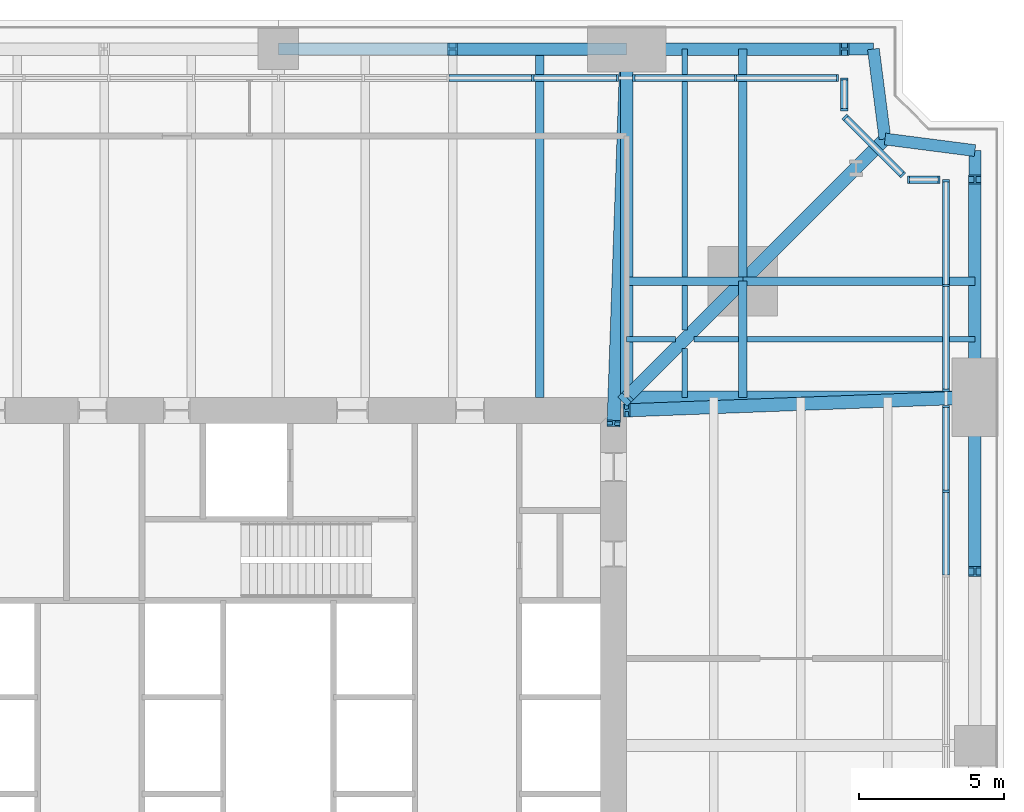
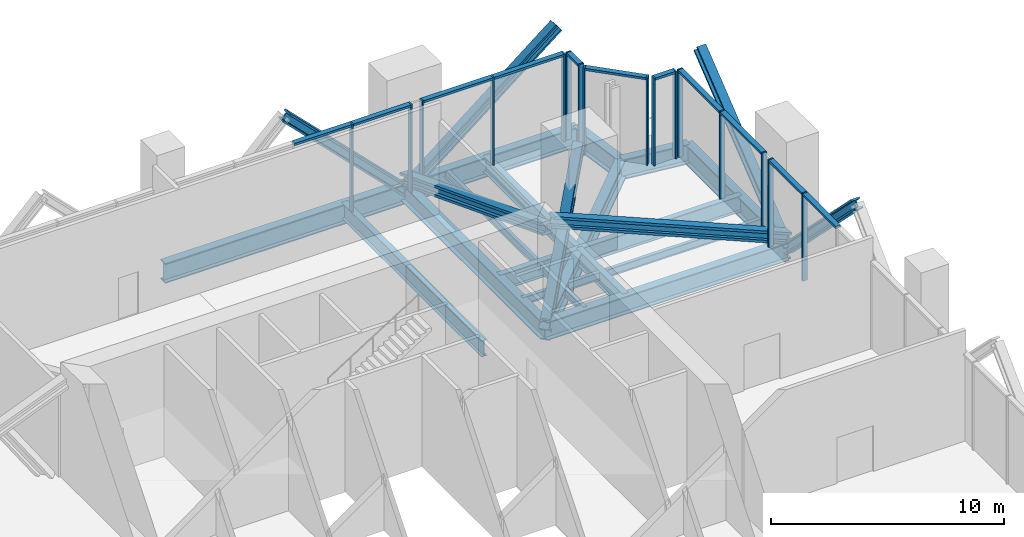
# One storey, part 7 of 13: 34 members, 20 beams, 7 elements without a shape of their own.
"""IFC4 building model written with IfcOpenShell, lengths in metres."""

from ifc_helpers import new_model, si_unit, direction, frame, origin, origin_2d, place, context, subcontext, project, spatial, rectangle, i_section, extrude, material, material_profile, profile_set, type_object, element, aggregate, save


model = new_model("IFC4")

# Units and contexts
model_context = context("Model", 3, precision=1e-05, world=origin(), true_north=direction((0.0, 1.0)))
body_context = subcontext(model_context, "Body", "Model", "MODEL_VIEW")
ifc_project = project(units=[si_unit("LENGTHUNIT", "METRE"), si_unit("AREAUNIT", "SQUARE_METRE"), si_unit("VOLUMEUNIT", "CUBIC_METRE"), si_unit("PLANEANGLEUNIT", "RADIAN"), si_unit("MASSUNIT", "GRAM", prefix="KILO")], contexts=[model_context])

# Site, building, storey
site_placement = place(None, origin())
site = spatial("IfcSite", under=ifc_project, at=site_placement, CompositionType="ELEMENT")
building_placement = place(site_placement, origin())
building = spatial("IfcBuilding", under=site, at=building_placement, Name="Fenwick Lantern Interchange", CompositionType="ELEMENT")
storey_placement = place(building_placement, frame((0.0, 0.0, 91.0)))
storey = spatial("IfcBuildingStorey", under=building, at=storey_placement, Name="L21", CompositionType="ELEMENT", Elevation=91.0)

# Members
ifc_material_1 = material(Name="Steel ASTM A992 Grade 50", Category="steel")
ifc_material_profile_1 = material_profile(ifc_material_1, i_section(OverallWidth=0.431884765625, OverallDepth=0.497802734375, WebThickness=0.0556640625, FlangeThickness=0.0888671875, at=origin_2d()), Name="W14X500")
ifc_profile_set_1 = profile_set([ifc_material_profile_1], Name="Steel ASTM A992 Grade 50")
member_type_1 = type_object("IfcMemberType", Name="BELT TRUSS DIAGONAL W14X500", PredefinedType="BRACE", material=ifc_profile_set_1)
member_1_placement = place(storey_placement, frame((49.0, 37.0, -0.64990234375), z_axis=(0.0, -0.707106781187, 0.707106781187), x_axis=(1.0, 0.0, 0.0)))
element("IfcMember", 1, at=member_1_placement, inside=storey, type_object=member_type_1, Name="L21/BT/E/D5", PredefinedType="BRACE", context=body_context, shape_type="SweptSolid", body=[
    extrude(i_section(OverallWidth=0.431884765625, OverallDepth=0.497802734375, WebThickness=0.0556640625, FlangeThickness=0.0888671875, at=origin_2d()), origin(), (0.0, 0.0, 1.0), 8.4853515625),
])
for number, where, z_axis, x_axis, name in (
    (2, (49.0, 37.0, -0.64990234375), (0.0, 0.780868809443, 0.624695047554), (-1.0, 0.0, 0.0), "L21/BT/E/D6"),
    (3, (37.0, 49.0, -0.64990234375), (0.780868809443, 0.0, 0.624695047554), (0.0, 1.0, 0.0), "L21/BT/N/D1"),
):
    element("IfcMember", number, at=place(storey_placement, frame(where, z_axis=z_axis, x_axis=x_axis)), inside=storey, type_object=member_type_1, Name=name, PredefinedType="BRACE", context=body_context, shape_type="SweptSolid", body=[
        extrude(i_section(OverallWidth=0.431884765625, OverallDepth=0.497802734375, WebThickness=0.0556640625, FlangeThickness=0.0888671875, at=origin_2d()), origin(), (0.0, 0.0, 1.0), 9.604736328125),
    ])
member_2_placement = place(storey_placement, frame((37.0, 49.0, -0.64990234375), z_axis=(-0.707106781187, 0.0, 0.707106781187), x_axis=(0.0, -1.0, 0.0)))
element("IfcMember", 4, at=member_2_placement, inside=storey, type_object=member_type_1, Name="L21/BT/N/D2", PredefinedType="BRACE", context=body_context, shape_type="SweptSolid", body=[
    extrude(i_section(OverallWidth=0.431884765625, OverallDepth=0.497802734375, WebThickness=0.0556640625, FlangeThickness=0.0888671875, at=origin_2d()), origin(), (0.0, 0.0, 1.0), 8.4853515625),
])

# Beams
ifc_material_profile_2 = material_profile(ifc_material_1, i_section(OverallWidth=0.408935546875, OverallDepth=1.04150390625, WebThickness=0.031005859375, FlangeThickness=0.055908203125, at=origin_2d()), Name="W40X397")
ifc_profile_set_2 = profile_set([ifc_material_profile_2], Name="Steel ASTM A992 Grade 50")
beam_type_1 = type_object("IfcBeamType", Name="EDGE BEAM W40X397", PredefinedType="SPANDREL", material=ifc_profile_set_2)
beam_1_placement = place(storey_placement, frame((49.0, 37.0, -0.720703125), z_axis=(0.0, 1.0, 0.0), x_axis=(-1.0, 0.0, 0.0)))
element("IfcBeam", 5, at=beam_1_placement, inside=storey, type_object=beam_type_1, Name="L21/FR/E/EB4", PredefinedType="SPANDREL", context=body_context, shape_type="SweptSolid", body=[
    extrude(i_section(OverallWidth=0.408935546875, OverallDepth=1.04150390625, WebThickness=0.031005859375, FlangeThickness=0.055908203125, at=origin_2d()), origin(), (0.0, 0.0, 1.0), 8.5),
])
for number, where, z_axis, x_axis, name in (
    (6, (49.0, 45.5, -0.720703125), (-0.991782342897, 0.127936641807, 0.0), (-0.127936641807, -0.991782342897, 0.0), "L21/FR/E/EBR1"),
    (7, (45.89990234375, 45.89990234375, -0.720703125), (-0.127936641807, 0.991782342897, 0.0), (-0.991782342897, -0.127936641807, 0.0), "L21/FR/E/EBR2"),
):
    element("IfcBeam", number, at=place(storey_placement, frame(where, z_axis=z_axis, x_axis=x_axis)), inside=storey, type_object=beam_type_1, Name=name, PredefinedType="SPANDREL", context=body_context, shape_type="SweptSolid", body=[
        extrude(i_section(OverallWidth=0.408935546875, OverallDepth=1.04150390625, WebThickness=0.031005859375, FlangeThickness=0.055908203125, at=origin_2d()), origin(), (0.0, 0.0, 1.0), 3.125732421875),
    ])
beam_2_placement = place(storey_placement, frame((45.5, 49.0, -0.720703125), z_axis=(-1.0, 0.0, 0.0), x_axis=(0.0, -1.0, 0.0)))
element("IfcBeam", 8, at=beam_2_placement, inside=storey, type_object=beam_type_1, Name="L21/FR/N/EB1", PredefinedType="SPANDREL", context=body_context, shape_type="SweptSolid", body=[
    extrude(i_section(OverallWidth=0.408935546875, OverallDepth=1.04150390625, WebThickness=0.031005859375, FlangeThickness=0.055908203125, at=origin_2d()), origin(), (0.0, 0.0, 1.0), 8.5),
])
beam_3_placement = place(storey_placement, frame((37.0, 49.0, -0.720703125), z_axis=(-1.0, 0.0, 0.0), x_axis=(0.0, -1.0, 0.0)))
element("IfcBeam", 9, at=beam_3_placement, inside=storey, type_object=beam_type_1, Name="L21/FR/N/EB2", PredefinedType="SPANDREL", context=body_context, shape_type="SweptSolid", body=[
    extrude(i_section(OverallWidth=0.408935546875, OverallDepth=1.04150390625, WebThickness=0.031005859375, FlangeThickness=0.055908203125, at=origin_2d()), origin(), (0.0, 0.0, 1.0), 12.0),
])
ifc_material_profile_3 = material_profile(ifc_material_1, i_section(OverallWidth=0.2919921875, OverallDepth=0.845703125, WebThickness=0.015380859375, FlangeThickness=0.0244140625, at=origin_2d()), Name="W33X141")
ifc_profile_set_3 = profile_set([ifc_material_profile_3], Name="Steel ASTM A992 Grade 50")
beam_type_2 = type_object("IfcBeamType", Name="FLOOR BEAM W33X141", PredefinedType="BEAM", material=ifc_profile_set_3)
beam_4_placement = place(storey_placement, frame((34.0, 49.0, -0.622802734375), z_axis=(0.0, -1.0, 0.0), x_axis=(1.0, 0.0, 0.0)))
element("IfcBeam", 10, at=beam_4_placement, inside=storey, type_object=beam_type_2, Name="L21/FR/N/R02", PredefinedType="BEAM", context=body_context, shape_type="SweptSolid", body=[
    extrude(i_section(OverallWidth=0.2919921875, OverallDepth=0.845703125, WebThickness=0.015380859375, FlangeThickness=0.0244140625, at=origin_2d()), origin(), (0.0, 0.0, 1.0), 12.0),
])
ifc_material_profile_4 = material_profile(ifc_material_1, i_section(OverallWidth=0.177734375, OverallDepth=0.406494140625, WebThickness=0.0078125, FlangeThickness=0.012939453125, at=origin_2d()), Name="W16X40")
ifc_profile_set_4 = profile_set([ifc_material_profile_4], Name="Steel ASTM A992 Grade 50")
beam_type_3 = type_object("IfcBeamType", Name="INFILL BEAM W16X40", PredefinedType="JOIST", material=ifc_profile_set_4)
beam_5_placement = place(storey_placement, frame((39.0, 49.0, -0.4033203125), z_axis=(0.0, -1.0, 0.0), x_axis=(1.0, 0.0, 0.0)))
element("IfcBeam", 11, at=beam_5_placement, inside=storey, type_object=beam_type_3, Name="L21/FR/N/J1", PredefinedType="JOIST", context=body_context, shape_type="SweptSolid", body=[
    extrude(i_section(OverallWidth=0.177734375, OverallDepth=0.406494140625, WebThickness=0.0078125, FlangeThickness=0.012939453125, at=origin_2d()), origin(), (0.0, 0.0, 1.0), 7.85400390625),
])
beam_6_placement = place(storey_placement, frame((39.0, 40.85400390625, -0.4033203125), z_axis=(0.0, -1.0, 0.0), x_axis=(1.0, 0.0, 0.0)))
element("IfcBeam", 12, at=beam_6_placement, inside=storey, type_object=beam_type_3, Name="L21/FR/N/J2", PredefinedType="JOIST", context=body_context, shape_type="SweptSolid", body=[
    extrude(i_section(OverallWidth=0.177734375, OverallDepth=0.406494140625, WebThickness=0.0078125, FlangeThickness=0.012939453125, at=origin_2d()), origin(), (0.0, 0.0, 1.0), 1.537841796875),
])
beam_7_placement = place(storey_placement, frame((39.0, 38.683837890625, -0.4033203125), z_axis=(0.0, -1.0, 0.0), x_axis=(1.0, 0.0, 0.0)))
element("IfcBeam", 13, at=beam_7_placement, inside=storey, type_object=beam_type_3, Name="L21/FR/N/J6", PredefinedType="JOIST", context=body_context, shape_type="SweptSolid", body=[
    extrude(i_section(OverallWidth=0.177734375, OverallDepth=0.406494140625, WebThickness=0.0078125, FlangeThickness=0.012939453125, at=origin_2d()), origin(), (0.0, 0.0, 1.0), 1.683837890625),
])
beam_8_placement = place(storey_placement, frame((49.0, 39.0, -0.4033203125), z_axis=(-1.0, 0.0, 0.0), x_axis=(0.0, -1.0, 0.0)))
element("IfcBeam", 14, at=beam_8_placement, inside=storey, type_object=beam_type_3, Name="L21/FR/N/J3", PredefinedType="JOIST", context=body_context, shape_type="SweptSolid", body=[
    extrude(i_section(OverallWidth=0.177734375, OverallDepth=0.406494140625, WebThickness=0.0078125, FlangeThickness=0.012939453125, at=origin_2d()), origin(), (0.0, 0.0, 1.0), 7.85400390625),
])
beam_9_placement = place(storey_placement, frame((40.85400390625, 39.0, -0.4033203125), z_axis=(-1.0, 0.0, 0.0), x_axis=(0.0, -1.0, 0.0)))
element("IfcBeam", 15, at=beam_9_placement, inside=storey, type_object=beam_type_3, Name="L21/FR/N/J4", PredefinedType="JOIST", context=body_context, shape_type="SweptSolid", body=[
    extrude(i_section(OverallWidth=0.177734375, OverallDepth=0.406494140625, WebThickness=0.0078125, FlangeThickness=0.012939453125, at=origin_2d()), origin(), (0.0, 0.0, 1.0), 1.537841796875),
])
beam_10_placement = place(storey_placement, frame((38.683837890625, 39.0, -0.4033203125), z_axis=(-1.0, 0.0, 0.0), x_axis=(0.0, -1.0, 0.0)))
element("IfcBeam", 16, at=beam_10_placement, inside=storey, type_object=beam_type_3, Name="L21/FR/N/J5", PredefinedType="JOIST", context=body_context, shape_type="SweptSolid", body=[
    extrude(i_section(OverallWidth=0.177734375, OverallDepth=0.406494140625, WebThickness=0.0078125, FlangeThickness=0.012939453125, at=origin_2d()), origin(), (0.0, 0.0, 1.0), 1.683837890625),
])
ifc_material_profile_5 = material_profile(ifc_material_1, i_section(OverallWidth=0.2919921875, OverallDepth=0.845703125, WebThickness=0.015380859375, FlangeThickness=0.0244140625, at=origin_2d()), Name="W33X141")
ifc_profile_set_5 = profile_set([ifc_material_profile_5], Name="Steel ASTM A992 Grade 50")
beam_type_4 = type_object("IfcBeamType", Name="MEGA COLUMN BEAM W33X141", PredefinedType="BEAM", material=ifc_profile_set_5)
for number, where, z_axis, x_axis, name in (
    (17, (41.0, 41.0, -0.622802734375), (0.0, 1.0, 0.0), (-1.0, 0.0, 0.0), "L21/FR/N/MB1"),
    (18, (41.0, 41.0, -0.622802734375), (1.0, 0.0, 0.0), (0.0, 1.0, 0.0), "L21/FR/N/MB2"),
):
    element("IfcBeam", number, at=place(storey_placement, frame(where, z_axis=z_axis, x_axis=x_axis)), inside=storey, type_object=beam_type_4, Name=name, PredefinedType="BEAM", context=body_context, shape_type="SweptSolid", body=[
        extrude(i_section(OverallWidth=0.2919921875, OverallDepth=0.845703125, WebThickness=0.015380859375, FlangeThickness=0.0244140625, at=origin_2d()), origin(), (0.0, 0.0, 1.0), 8.0),
    ])
for number, where, z_axis, x_axis, name in (
    (19, (41.0, 41.0, -0.622802734375), (-1.0, 0.0, 0.0), (0.0, -1.0, 0.0), "L21/FR/N/MB3"),
    (20, (41.0, 41.0, -0.622802734375), (0.0, -1.0, 0.0), (1.0, 0.0, 0.0), "L21/FR/N/MB4"),
):
    element("IfcBeam", number, at=place(storey_placement, frame(where, z_axis=z_axis, x_axis=x_axis)), inside=storey, type_object=beam_type_4, Name=name, PredefinedType="BEAM", context=body_context, shape_type="SweptSolid", body=[
        extrude(i_section(OverallWidth=0.2919921875, OverallDepth=0.845703125, WebThickness=0.015380859375, FlangeThickness=0.0244140625, at=origin_2d()), origin(), (0.0, 0.0, 1.0), 4.0),
    ])
ifc_material_profile_6 = material_profile(ifc_material_1, i_section(OverallWidth=0.424072265625, OverallDepth=0.947509765625, WebThickness=0.02392578125, FlangeThickness=0.042724609375, at=origin_2d()), Name="W36X302")
ifc_profile_set_6 = profile_set([ifc_material_profile_6], Name="Steel ASTM A992 Grade 50")
beam_type_5 = type_object("IfcBeamType", Name="MOMENT-CONNECTED GIRDER W36X302", PredefinedType="BEAM", material=ifc_profile_set_6)
for number, where, z_axis, x_axis, name in (
    (21, (49.0, 37.0, -0.673828125), (-1.0, 0.0, 0.0), (0.0, -1.0, 0.0), "L21/FR/E/R03"),
    (22, (37.0, 49.0, -0.673828125), (0.0, -1.0, 0.0), (1.0, 0.0, 0.0), "L21/FR/N/R01"),
):
    element("IfcBeam", number, at=place(storey_placement, frame(where, z_axis=z_axis, x_axis=x_axis)), inside=storey, type_object=beam_type_5, Name=name, PredefinedType="BEAM", context=body_context, shape_type="SweptSolid", body=[
        extrude(i_section(OverallWidth=0.424072265625, OverallDepth=0.947509765625, WebThickness=0.02392578125, FlangeThickness=0.042724609375, at=origin_2d()), origin(), (0.0, 0.0, 1.0), 12.0),
    ])
ifc_material_profile_7 = material_profile(ifc_material_1, i_section(OverallWidth=0.447021484375, OverallDepth=1.0439453125, WebThickness=0.050048828125, FlangeThickness=0.08984375, at=origin_2d()), Name="W36X652")
ifc_profile_set_7 = profile_set([ifc_material_profile_7], Name="Steel ASTM A992 Grade 50")
beam_type_6 = type_object("IfcBeamType", Name="NOTCH BEAM W36X652", PredefinedType="BEAM", material=ifc_profile_set_7)
beam_11_placement = place(storey_placement, frame((41.0, 41.0, -0.721923828125), z_axis=(0.707106781187, 0.707106781187, 0.0), x_axis=(-0.707106781187, 0.707106781187, 0.0)))
element("IfcBeam", 23, at=beam_11_placement, inside=storey, type_object=beam_type_6, Name="L21/FR/N/TG", PredefinedType="BEAM", context=body_context, shape_type="SweptSolid", body=[
    extrude(i_section(OverallWidth=0.447021484375, OverallDepth=1.0439453125, WebThickness=0.050048828125, FlangeThickness=0.08984375, at=origin_2d()), origin(), (0.0, 0.0, 1.0), 6.929443359375),
])
ifc_material_profile_8 = material_profile(ifc_material_1, i_section(OverallWidth=0.447021484375, OverallDepth=1.0439453125, WebThickness=0.050048828125, FlangeThickness=0.08984375, at=origin_2d()), Name="W36X652")
ifc_profile_set_8 = profile_set([ifc_material_profile_8], Name="Steel ASTM A992 Grade 50")
beam_type_7 = type_object("IfcBeamType", Name="OUTRIGGER CHORD W36X652", PredefinedType="BEAM", material=ifc_profile_set_8)
beam_12_placement = place(storey_placement, frame((37.0, 37.0, -0.721923828125), z_axis=(0.707106781187, 0.707106781187, 0.0), x_axis=(-0.707106781187, 0.707106781187, 0.0)))
element("IfcBeam", 24, at=beam_12_placement, inside=storey, type_object=beam_type_7, Name="L21/OR/N/BC", PredefinedType="BEAM", context=body_context, shape_type="SweptSolid", body=[
    extrude(i_section(OverallWidth=0.447021484375, OverallDepth=1.0439453125, WebThickness=0.050048828125, FlangeThickness=0.08984375, at=origin_2d()), origin(), (0.0, 0.0, 1.0), 5.65673828125),
])

# Members
ifc_material_profile_9 = material_profile(ifc_material_1, i_section(OverallWidth=0.45458984375, OverallDepth=0.56884765625, WebThickness=0.077880859375, FlangeThickness=0.124755859375, at=origin_2d()), Name="W14X730")
ifc_profile_set_9 = profile_set([ifc_material_profile_9], Name="Steel ASTM A992 Grade 50")
member_type_2 = type_object("IfcMemberType", Name="OUTRIGGER DIAGONAL W14X730", PredefinedType="BRACE", material=ifc_profile_set_9)
member_3_placement = place(storey_placement, frame((49.0, 37.0, 0.0), z_axis=(-0.913477570557, -0.034251691946, 0.405444878729), x_axis=(0.037469600146, -0.999297767968, 0.0)))
element("IfcMember", 25, at=member_3_placement, inside=storey, type_object=member_type_2, Name="L21/OR/E/W2", PredefinedType="BRACE", context=body_context, shape_type="SweptSolid", body=[
    extrude(i_section(OverallWidth=0.45458984375, OverallDepth=0.56884765625, WebThickness=0.077880859375, FlangeThickness=0.124755859375, at=origin_2d()), origin(), (0.0, 0.0, 1.0), 13.13671875),
])
member_4_placement = place(storey_placement, frame((37.0, 37.0, -0.721923828125), z_axis=(0.485071250073, 0.485071250073, 0.727606875109), x_axis=(-0.707106781187, 0.707106781187, 0.0)))
element("IfcMember", 26, at=member_4_placement, inside=storey, type_object=member_type_2, Name="L21/OR/N/D", PredefinedType="BRACE", context=body_context, shape_type="SweptSolid", body=[
    extrude(i_section(OverallWidth=0.45458984375, OverallDepth=0.56884765625, WebThickness=0.077880859375, FlangeThickness=0.124755859375, at=origin_2d()), origin(), (0.0, 0.0, 1.0), 8.24609375),
])
member_5_placement = place(storey_placement, frame((37.0, 49.0, 0.0), z_axis=(-0.032223486879, -0.923833206581, 0.381436565252), x_axis=(0.999392240336, -0.034859001078, 0.0)))
element("IfcMember", 27, at=member_5_placement, inside=storey, type_object=member_type_2, Name="L21/OR/N/W1", PredefinedType="BRACE", context=body_context, shape_type="SweptSolid", body=[
    extrude(i_section(OverallWidth=0.45458984375, OverallDepth=0.56884765625, WebThickness=0.077880859375, FlangeThickness=0.124755859375, at=origin_2d()), origin(), (0.0, 0.0, 1.0), 13.96337890625),
])

# Curtain wall, members
ifc_material_2 = material(Name="Aluminium curtain wall frame", Category="aluminium")
curtain_wall_type = type_object("IfcCurtainWallType", Name="PLANT LOUVRE SCREEN", PredefinedType="USERDEFINED", material=ifc_material_2)
curtain_wall_1_placement = place(storey_placement, origin())
curtain_wall_1 = element("IfcCurtainWall", 28, at=curtain_wall_1_placement, inside=storey, type_object=curtain_wall_type, Name="Plant louvre screen 04B", ObjectType="PLANT LOUVRE SCREEN", PredefinedType="USERDEFINED")
ifc_material_3 = material(Name="Aluminium extrusion", Category="aluminium")
ifc_material_profile_10 = material_profile(ifc_material_3, rectangle(XDim=0.25, YDim=0.074951171875, at=origin_2d()), Name="PLANT LOUVRE SCREEN MULLION 75 X 250")
ifc_profile_set_10 = profile_set([ifc_material_profile_10], Name="Aluminium extrusion")
member_type_3 = type_object("IfcMemberType", Name="PLANT LOUVRE SCREEN MULLION 75 X 250", PredefinedType="MULLION", material=ifc_profile_set_10)
member_6_placement = place(storey_placement, frame((48.0, 33.76220703125, 0.0), z_axis=(0.0, 0.0, 1.0), x_axis=(-1.0, 0.0, 0.0)))
member_6 = element("IfcMember", 29, at=member_6_placement, type_object=member_type_3, Name="L21/CW/04B/M07", PredefinedType="MULLION", context=body_context, shape_type="SweptSolid", body=[
    extrude(rectangle(XDim=0.25, YDim=0.074951171875, at=origin_2d()), origin(), (0.0, 0.0, 1.0), 4.60009765625),
])
member_7_placement = place(storey_placement, frame((48.0, 36.682861328125, 0.0), z_axis=(0.0, 0.0, 1.0), x_axis=(-1.0, 0.0, 0.0)))
member_7 = element("IfcMember", 30, at=member_7_placement, type_object=member_type_3, Name="L21/CW/04B/M08", PredefinedType="MULLION", context=body_context, shape_type="SweptSolid", body=[
    extrude(rectangle(XDim=0.25, YDim=0.074951171875, at=origin_2d()), origin(), (0.0, 0.0, 1.0), 4.60009765625),
])

curtain_wall_2_placement = place(storey_placement, origin())
curtain_wall_2 = element("IfcCurtainWall", 31, at=curtain_wall_2_placement, inside=storey, type_object=curtain_wall_type, Name="Plant louvre screen 04C", ObjectType="PLANT LOUVRE SCREEN", PredefinedType="USERDEFINED")
member_8_placement = place(storey_placement, frame((48.0, 37.2421875, 0.0), z_axis=(0.0, 0.0, 1.0), x_axis=(-1.0, 0.0, 0.0)))
member_8 = element("IfcMember", 32, at=member_8_placement, type_object=member_type_3, Name="L21/CW/04C/M00", PredefinedType="MULLION", context=body_context, shape_type="SweptSolid", body=[
    extrude(rectangle(XDim=0.25, YDim=0.074951171875, at=origin_2d()), origin(), (0.0, 0.0, 1.0), 4.60009765625),
])
member_9_placement = place(storey_placement, frame((48.0, 40.852294921875, 0.0), z_axis=(0.0, 0.0, 1.0), x_axis=(-1.0, 0.0, 0.0)))
member_9 = element("IfcMember", 33, at=member_9_placement, type_object=member_type_3, Name="L21/CW/04C/M01", PredefinedType="MULLION", context=body_context, shape_type="SweptSolid", body=[
    extrude(rectangle(XDim=0.25, YDim=0.074951171875, at=origin_2d()), origin(), (0.0, 0.0, 1.0), 4.60009765625),
])
member_10_placement = place(storey_placement, frame((48.0, 44.46240234375, 0.0), z_axis=(0.0, 0.0, 1.0), x_axis=(-1.0, 0.0, 0.0)))
member_10 = element("IfcMember", 34, at=member_10_placement, type_object=member_type_3, Name="L21/CW/04C/M02", PredefinedType="MULLION", context=body_context, shape_type="SweptSolid", body=[
    extrude(rectangle(XDim=0.25, YDim=0.074951171875, at=origin_2d()), origin(), (0.0, 0.0, 1.0), 4.60009765625),
])

curtain_wall_3_placement = place(storey_placement, origin())
curtain_wall_3 = element("IfcCurtainWall", 35, at=curtain_wall_3_placement, inside=storey, type_object=curtain_wall_type, Name="Plant louvre screen 05", ObjectType="PLANT LOUVRE SCREEN", PredefinedType="USERDEFINED")
member_11_placement = place(storey_placement, frame((47.762451171875, 44.5, 0.0), z_axis=(0.0, 0.0, 1.0), x_axis=(0.0, -1.0, 0.0)))
member_11 = element("IfcMember", 36, at=member_11_placement, type_object=member_type_3, Name="L21/CW/05/M00", PredefinedType="MULLION", context=body_context, shape_type="SweptSolid", body=[
    extrude(rectangle(XDim=0.25, YDim=0.074951171875, at=origin_2d()), origin(), (0.0, 0.0, 1.0), 4.60009765625),
])
member_12_placement = place(storey_placement, frame((46.708984375, 44.5, 0.0), z_axis=(0.0, 0.0, 1.0), x_axis=(0.0, -1.0, 0.0)))
member_12 = element("IfcMember", 37, at=member_12_placement, type_object=member_type_3, Name="L21/CW/05/M01", PredefinedType="MULLION", context=body_context, shape_type="SweptSolid", body=[
    extrude(rectangle(XDim=0.25, YDim=0.074951171875, at=origin_2d()), origin(), (0.0, 0.0, 1.0), 4.60009765625),
])

curtain_wall_4_placement = place(storey_placement, origin())
curtain_wall_4 = element("IfcCurtainWall", 38, at=curtain_wall_4_placement, inside=storey, type_object=curtain_wall_type, Name="Plant louvre screen 06", ObjectType="PLANT LOUVRE SCREEN", PredefinedType="USERDEFINED")
member_13_placement = place(storey_placement, frame((46.503662109375, 44.66796875, 0.0), z_axis=(0.0, 0.0, 1.0), x_axis=(-0.707106781187, -0.707106781187, 0.0)))
member_13 = element("IfcMember", 39, at=member_13_placement, type_object=member_type_3, Name="L21/CW/06/M00", PredefinedType="MULLION", context=body_context, shape_type="SweptSolid", body=[
    extrude(rectangle(XDim=0.25, YDim=0.074951171875, at=origin_2d()), origin(), (0.0, 0.0, 1.0), 4.60009765625),
])
member_14_placement = place(storey_placement, frame((44.526611328125, 46.64501953125, 0.0), z_axis=(0.0, 0.0, 1.0), x_axis=(-0.707106781187, -0.707106781187, 0.0)))
member_14 = element("IfcMember", 40, at=member_14_placement, type_object=member_type_3, Name="L21/CW/06/M01", PredefinedType="MULLION", context=body_context, shape_type="SweptSolid", body=[
    extrude(rectangle(XDim=0.25, YDim=0.074951171875, at=origin_2d()), origin(), (0.0, 0.0, 1.0), 4.60009765625),
])

curtain_wall_5_placement = place(storey_placement, origin())
curtain_wall_5 = element("IfcCurtainWall", 41, at=curtain_wall_5_placement, inside=storey, type_object=curtain_wall_type, Name="Plant louvre screen 07", ObjectType="PLANT LOUVRE SCREEN", PredefinedType="USERDEFINED")
member_15_placement = place(storey_placement, frame((44.5, 46.9091796875, 0.0), z_axis=(0.0, 0.0, 1.0), x_axis=(-1.0, 0.0, 0.0)))
member_15 = element("IfcMember", 42, at=member_15_placement, type_object=member_type_3, Name="L21/CW/07/M00", PredefinedType="MULLION", context=body_context, shape_type="SweptSolid", body=[
    extrude(rectangle(XDim=0.25, YDim=0.074951171875, at=origin_2d()), origin(), (0.0, 0.0, 1.0), 4.60009765625),
])
member_16_placement = place(storey_placement, frame((44.5, 47.96240234375, 0.0), z_axis=(0.0, 0.0, 1.0), x_axis=(-1.0, 0.0, 0.0)))
member_16 = element("IfcMember", 43, at=member_16_placement, type_object=member_type_3, Name="L21/CW/07/M01", PredefinedType="MULLION", context=body_context, shape_type="SweptSolid", body=[
    extrude(rectangle(XDim=0.25, YDim=0.074951171875, at=origin_2d()), origin(), (0.0, 0.0, 1.0), 4.60009765625),
])

curtain_wall_6_placement = place(storey_placement, origin())
curtain_wall_6 = element("IfcCurtainWall", 44, at=curtain_wall_6_placement, inside=storey, type_object=curtain_wall_type, Name="Plant louvre screen 08A", ObjectType="PLANT LOUVRE SCREEN", PredefinedType="USERDEFINED")
member_17_placement = place(storey_placement, frame((44.262451171875, 48.0, 0.0), z_axis=(0.0, 0.0, 1.0), x_axis=(0.0, -1.0, 0.0)))
member_17 = element("IfcMember", 45, at=member_17_placement, type_object=member_type_3, Name="L21/CW/08A/M00", PredefinedType="MULLION", context=body_context, shape_type="SweptSolid", body=[
    extrude(rectangle(XDim=0.25, YDim=0.074951171875, at=origin_2d()), origin(), (0.0, 0.0, 1.0), 4.60009765625),
])
member_18_placement = place(storey_placement, frame((40.75341796875, 48.0, 0.0), z_axis=(0.0, 0.0, 1.0), x_axis=(0.0, -1.0, 0.0)))
member_18 = element("IfcMember", 46, at=member_18_placement, type_object=member_type_3, Name="L21/CW/08A/M01", PredefinedType="MULLION", context=body_context, shape_type="SweptSolid", body=[
    extrude(rectangle(XDim=0.25, YDim=0.074951171875, at=origin_2d()), origin(), (0.0, 0.0, 1.0), 4.60009765625),
])
member_19_placement = place(storey_placement, frame((37.244384765625, 48.0, 0.0), z_axis=(0.0, 0.0, 1.0), x_axis=(0.0, -1.0, 0.0)))
member_19 = element("IfcMember", 47, at=member_19_placement, type_object=member_type_3, Name="L21/CW/08A/M02", PredefinedType="MULLION", context=body_context, shape_type="SweptSolid", body=[
    extrude(rectangle(XDim=0.25, YDim=0.074951171875, at=origin_2d()), origin(), (0.0, 0.0, 1.0), 4.60009765625),
])

curtain_wall_7_placement = place(storey_placement, origin())
curtain_wall_7 = element("IfcCurtainWall", 48, at=curtain_wall_7_placement, inside=storey, type_object=curtain_wall_type, Name="Plant louvre screen 08B", ObjectType="PLANT LOUVRE SCREEN", PredefinedType="USERDEFINED")
member_20_placement = place(storey_placement, frame((36.685791015625, 48.0, 0.0), z_axis=(0.0, 0.0, 1.0), x_axis=(0.0, -1.0, 0.0)))
member_20 = element("IfcMember", 49, at=member_20_placement, type_object=member_type_3, Name="L21/CW/08B/M00", PredefinedType="MULLION", context=body_context, shape_type="SweptSolid", body=[
    extrude(rectangle(XDim=0.25, YDim=0.074951171875, at=origin_2d()), origin(), (0.0, 0.0, 1.0), 4.60009765625),
])
member_21_placement = place(storey_placement, frame((33.764404296875, 48.0, 0.0), z_axis=(0.0, 0.0, 1.0), x_axis=(0.0, -1.0, 0.0)))
member_21 = element("IfcMember", 50, at=member_21_placement, type_object=member_type_3, Name="L21/CW/08B/M01", PredefinedType="MULLION", context=body_context, shape_type="SweptSolid", body=[
    extrude(rectangle(XDim=0.25, YDim=0.074951171875, at=origin_2d()), origin(), (0.0, 0.0, 1.0), 4.60009765625),
])

# Member
ifc_material_profile_11 = material_profile(ifc_material_3, rectangle(XDim=0.25, YDim=0.1201171875, at=origin_2d()), Name="PLANT LOUVRE SCREEN TRANSOM 120 X 250")
ifc_profile_set_11 = profile_set([ifc_material_profile_11], Name="Aluminium extrusion")
member_type_4 = type_object("IfcMemberType", Name="PLANT LOUVRE SCREEN TRANSOM 120 X 250", PredefinedType="MULLION", material=ifc_profile_set_11)
member_22_placement = place(storey_placement, frame((48.0, 30.87890625, 4.5400390625), z_axis=(0.0, 1.0, 0.0), x_axis=(-1.0, 0.0, 0.0)))
member_22 = element("IfcMember", 51, at=member_22_placement, type_object=member_type_4, Name="L21/CW/04B/T06", PredefinedType="MULLION", context=body_context, shape_type="SweptSolid", body=[
    extrude(rectangle(XDim=0.25, YDim=0.1201171875, at=origin_2d()), origin(), (0.0, 0.0, 1.0), 2.845703125),
])

member_23_placement = place(storey_placement, frame((48.0, 33.799560546875, 4.5400390625), z_axis=(0.0, 1.0, 0.0), x_axis=(-1.0, 0.0, 0.0)))
member_23 = element("IfcMember", 52, at=member_23_placement, type_object=member_type_4, Name="L21/CW/04B/T07", PredefinedType="MULLION", context=body_context, shape_type="SweptSolid", body=[
    extrude(rectangle(XDim=0.25, YDim=0.1201171875, at=origin_2d()), origin(), (0.0, 0.0, 1.0), 2.845703125),
])

aggregate(curtain_wall_1, [member_6, member_7, member_22, member_23])

member_24_placement = place(storey_placement, frame((48.0, 37.27978515625, 4.5400390625), z_axis=(0.0, 1.0, 0.0), x_axis=(-1.0, 0.0, 0.0)))
member_24 = element("IfcMember", 53, at=member_24_placement, type_object=member_type_4, Name="L21/CW/04C/T00", PredefinedType="MULLION", context=body_context, shape_type="SweptSolid", body=[
    extrude(rectangle(XDim=0.25, YDim=0.1201171875, at=origin_2d()), origin(), (0.0, 0.0, 1.0), 3.53515625),
])

member_25_placement = place(storey_placement, frame((48.0, 40.889892578125, 4.5400390625), z_axis=(0.0, 1.0, 0.0), x_axis=(-1.0, 0.0, 0.0)))
member_25 = element("IfcMember", 54, at=member_25_placement, type_object=member_type_4, Name="L21/CW/04C/T01", PredefinedType="MULLION", context=body_context, shape_type="SweptSolid", body=[
    extrude(rectangle(XDim=0.25, YDim=0.1201171875, at=origin_2d()), origin(), (0.0, 0.0, 1.0), 3.53515625),
])

aggregate(curtain_wall_2, [member_8, member_9, member_10, member_24, member_25])

member_26_placement = place(storey_placement, frame((47.72509765625, 44.5, 4.5400390625), z_axis=(-1.0, 0.0, 0.0), x_axis=(0.0, -1.0, 0.0)))
member_26 = element("IfcMember", 55, at=member_26_placement, type_object=member_type_4, Name="L21/CW/05/T00", PredefinedType="MULLION", context=body_context, shape_type="SweptSolid", body=[
    extrude(rectangle(XDim=0.25, YDim=0.1201171875, at=origin_2d()), origin(), (0.0, 0.0, 1.0), 0.978515625),
])

aggregate(curtain_wall_3, [member_11, member_12, member_26])

member_27_placement = place(storey_placement, frame((46.47705078125, 44.6943359375, 4.5400390625), z_axis=(-0.707061921121, 0.707151638406, 0.0), x_axis=(-0.707151638406, -0.707061921121, 0.0)))
member_27 = element("IfcMember", 56, at=member_27_placement, type_object=member_type_4, Name="L21/CW/06/T00", PredefinedType="MULLION", context=body_context, shape_type="SweptSolid", body=[
    extrude(rectangle(XDim=0.25, YDim=0.1201171875, at=origin_2d()), origin(), (0.0, 0.0, 1.0), 2.72119140625),
])

aggregate(curtain_wall_4, [member_13, member_14, member_27])

member_28_placement = place(storey_placement, frame((44.5, 46.946533203125, 4.5400390625), z_axis=(0.0, 1.0, 0.0), x_axis=(-1.0, 0.0, 0.0)))
member_28 = element("IfcMember", 57, at=member_28_placement, type_object=member_type_4, Name="L21/CW/07/T00", PredefinedType="MULLION", context=body_context, shape_type="SweptSolid", body=[
    extrude(rectangle(XDim=0.25, YDim=0.1201171875, at=origin_2d()), origin(), (0.0, 0.0, 1.0), 0.978515625),
])

aggregate(curtain_wall_5, [member_15, member_16, member_28])

member_29_placement = place(storey_placement, frame((44.22509765625, 48.0, 4.5400390625), z_axis=(-1.0, 0.0, 0.0), x_axis=(0.0, -1.0, 0.0)))
member_29 = element("IfcMember", 58, at=member_29_placement, type_object=member_type_4, Name="L21/CW/08A/T00", PredefinedType="MULLION", context=body_context, shape_type="SweptSolid", body=[
    extrude(rectangle(XDim=0.25, YDim=0.1201171875, at=origin_2d()), origin(), (0.0, 0.0, 1.0), 3.43408203125),
])

member_30_placement = place(storey_placement, frame((40.716064453125, 48.0, 4.5400390625), z_axis=(-1.0, 0.0, 0.0), x_axis=(0.0, -1.0, 0.0)))
member_30 = element("IfcMember", 59, at=member_30_placement, type_object=member_type_4, Name="L21/CW/08A/T01", PredefinedType="MULLION", context=body_context, shape_type="SweptSolid", body=[
    extrude(rectangle(XDim=0.25, YDim=0.1201171875, at=origin_2d()), origin(), (0.0, 0.0, 1.0), 3.43408203125),
])

aggregate(curtain_wall_6, [member_17, member_18, member_19, member_29, member_30])

member_31_placement = place(storey_placement, frame((36.648193359375, 48.0, 4.5400390625), z_axis=(-1.0, 0.0, 0.0), x_axis=(0.0, -1.0, 0.0)))
member_31 = element("IfcMember", 60, at=member_31_placement, type_object=member_type_4, Name="L21/CW/08B/T00", PredefinedType="MULLION", context=body_context, shape_type="SweptSolid", body=[
    extrude(rectangle(XDim=0.25, YDim=0.1201171875, at=origin_2d()), origin(), (0.0, 0.0, 1.0), 2.846435546875),
])

member_32_placement = place(storey_placement, frame((33.726806640625, 48.0, 4.5400390625), z_axis=(-1.0, 0.0, 0.0), x_axis=(0.0, -1.0, 0.0)))
member_32 = element("IfcMember", 61, at=member_32_placement, type_object=member_type_4, Name="L21/CW/08B/T01", PredefinedType="MULLION", context=body_context, shape_type="SweptSolid", body=[
    extrude(rectangle(XDim=0.25, YDim=0.1201171875, at=origin_2d()), origin(), (0.0, 0.0, 1.0), 2.846435546875),
])

aggregate(curtain_wall_7, [member_20, member_21, member_31, member_32])

save(model, "model.ifc")
